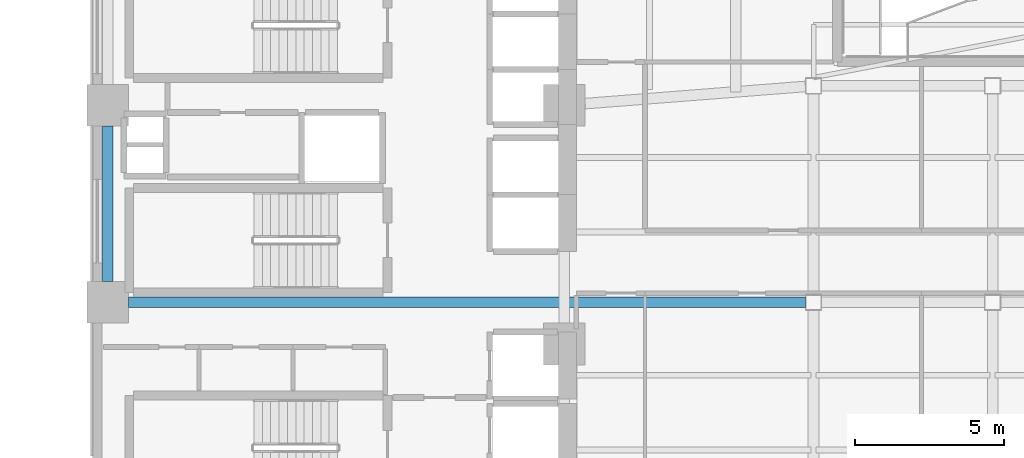
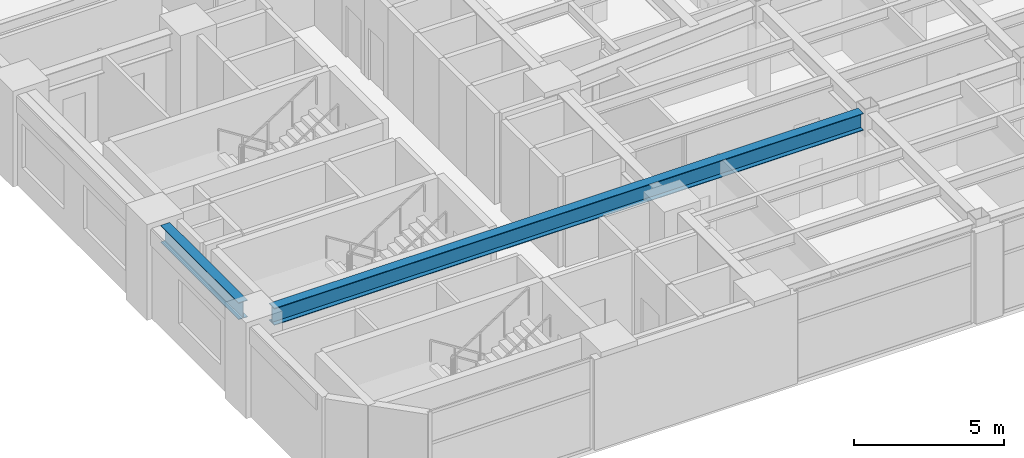
# One storey, part 3 of 17: 2 beams.
"""IFC4 building model written with IfcOpenShell, lengths in metres."""

from ifc_helpers import new_model, si_unit, direction, frame, origin, origin_2d, place, context, subcontext, project, spatial, i_section, extrude, material, material_profile, profile_set, type_object, element, save


model = new_model("IFC4")

# Units and contexts
model_context = context("Model", 3, precision=1e-05, world=origin(), true_north=direction((0.0, 1.0)))
body_context = subcontext(model_context, "Body", "Model", "MODEL_VIEW")
ifc_project = project(units=[si_unit("LENGTHUNIT", "METRE"), si_unit("AREAUNIT", "SQUARE_METRE"), si_unit("VOLUMEUNIT", "CUBIC_METRE"), si_unit("PLANEANGLEUNIT", "RADIAN"), si_unit("MASSUNIT", "GRAM", prefix="KILO")], contexts=[model_context])

# Site, building, storey
site_placement = place(None, origin())
site = spatial("IfcSite", under=ifc_project, at=site_placement, CompositionType="ELEMENT")
building_placement = place(site_placement, origin())
building = spatial("IfcBuilding", under=site, at=building_placement, Name="Mawjaban Terraces University", CompositionType="ELEMENT")
storey_placement = place(building_placement, frame((0.0, 0.0, 85.60009765625)))
storey = spatial("IfcBuildingStorey", under=building, at=storey_placement, Name="L20", CompositionType="ELEMENT", Elevation=85.60009765625)

# Beams
ifc_material = material(Name="Steel ASTM A572 Grade 50", Category="steel")
ifc_material_profile = material_profile(ifc_material, i_section(OverallWidth=0.35498046875, OverallDepth=0.695068359375, WebThickness=0.015380859375, FlangeThickness=0.02490234375, at=origin_2d()), Name="W690X217")
ifc_profile_set = profile_set([ifc_material_profile], Name="Steel ASTM A572 Grade 50")
beam_type = type_object("IfcBeamType", Name="Beam_B_W690X217", PredefinedType="BEAM", material=ifc_profile_set)
beam_1_placement = place(storey_placement, frame((23.050048828125, 7.949951171875, 3.343017578125), z_axis=(1.0, 0.0, 0.0), x_axis=(0.0, 1.0, 0.0)))
element("IfcBeam", 1, at=beam_1_placement, inside=storey, type_object=beam_type, Name="L20 Beam BM-L20-EW-06", PredefinedType="BEAM", context=body_context, shape_type="SweptSolid", body=[
    extrude(i_section(OverallWidth=0.35498046875, OverallDepth=0.695068359375, WebThickness=0.015380859375, FlangeThickness=0.02490234375, at=origin_2d()), origin(), (0.0, 0.0, 1.0), 22.675048828125),
])
beam_2_placement = place(storey_placement, frame((22.35009765625, 8.64990234375, 3.343017578125), z_axis=(0.0, 1.0, 0.0), x_axis=(-1.0, 0.0, 0.0)))
element("IfcBeam", 2, at=beam_2_placement, inside=storey, type_object=beam_type, Name="L20 Beam BM-L20-NS-01", PredefinedType="BEAM", context=body_context, shape_type="SweptSolid", body=[
    extrude(i_section(OverallWidth=0.35498046875, OverallDepth=0.695068359375, WebThickness=0.015380859375, FlangeThickness=0.02490234375, at=origin_2d()), origin(), (0.0, 0.0, 1.0), 5.2001953125),
])

save(model, "model.ifc")
